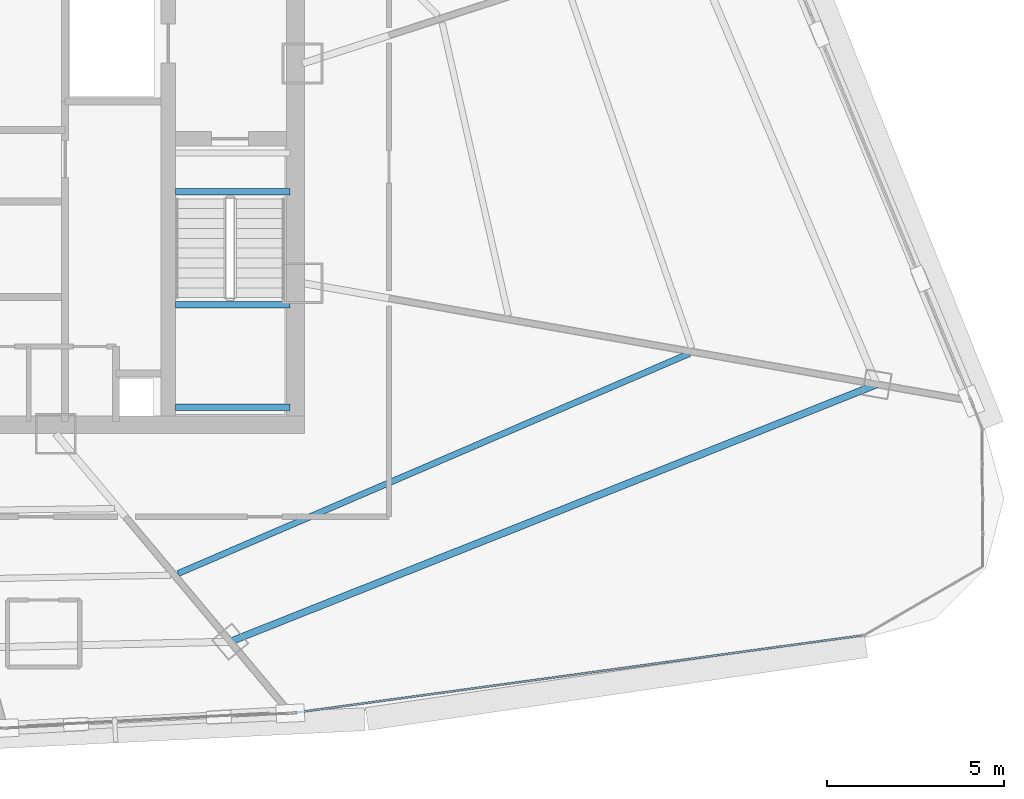
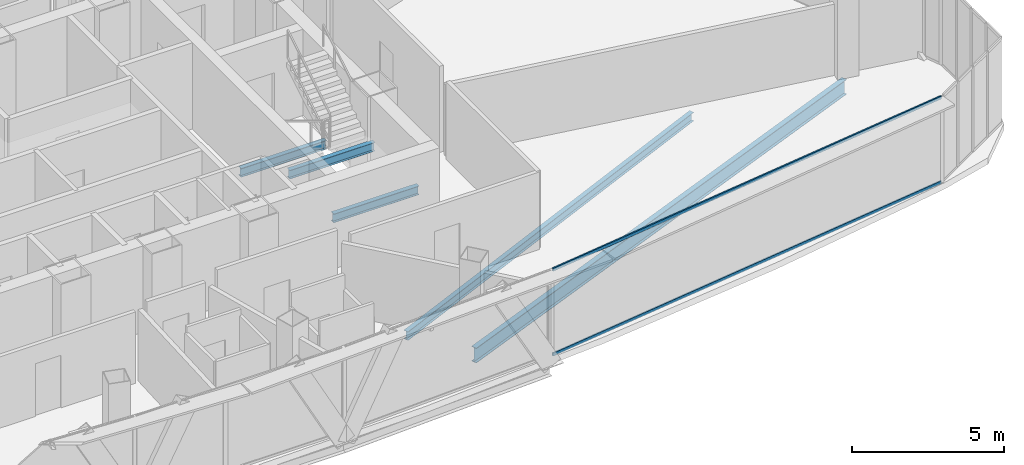
# One storey, part 13 of 40: 5 beams, 2 members, 1 element without a shape of its own.
"""IFC4 building model written with IfcOpenShell, lengths in metres."""

import ifcopenshell
import ifcopenshell.guid

model = None  # the IFC model being written
_history = None  # IfcOwnerHistory: only IFC2X3 demands one
_inside = {}  # id of a spatial element -> (the spatial element, [elements in it])
_under = {}  # id of a project, library or spatial element -> (it, [spatial elements below it])
_declared = {}  # id of a project -> (the project, [libraries it declares])
_typed = {}  # id of a type object -> (the type object, [elements of that type])
_made_of = {}  # id of a material, layer set ... -> (it, [elements and type objects made of it])


def new_model(schema):
    """Start an empty IFC model of exactly this schema.

    Asked for "IFC4X3", IfcOpenShell would pick the latest addendum, in which some entities
    have other attributes; the version numbers below select the first issue.
    IFC2X3 requires an IfcOwnerHistory on every rooted entity: one is made here for all.
    """
    global model, _history
    if schema == "IFC4X3":
        model = ifcopenshell.file(schema_version=(4, 3, 0, 0))
    else:
        model = ifcopenshell.file(schema=schema)
    _inside.clear()
    _under.clear()
    _declared.clear()
    _typed.clear()
    _made_of.clear()
    _history = None
    if model.schema == "IFC2X3":
        org = make("IfcOrganization", Name="unknown")
        user = make(
            "IfcPersonAndOrganization",
            ThePerson=make("IfcPerson", FamilyName="unknown"),
            TheOrganization=org,
        )
        app = make(
            "IfcApplication",
            ApplicationDeveloper=org,
            Version="unknown",
            ApplicationFullName="unknown",
            ApplicationIdentifier="unknown",
        )
        _history = make(
            "IfcOwnerHistory",
            OwningUser=user,
            OwningApplication=app,
            ChangeAction="ADDED",
            CreationDate=0,
        )
    return model


def make(cls, **values):
    """One entity of the class cls with the attributes given. An attribute that is None is left unset."""
    return model.create_entity(
        cls, **{name: value for name, value in values.items() if value is not None}
    )


def rooted(cls, **values):
    """An entity with a GlobalId (a new one), such as an element, a storey or a relation."""
    return make(cls, GlobalId=ifcopenshell.guid.new(), OwnerHistory=_history, **values)


def si_unit(unit_type, name, prefix=None):
    """IfcSIUnit, for example si_unit("LENGTHUNIT", "METRE", prefix="MILLI")."""
    return make("IfcSIUnit", UnitType=unit_type, Prefix=prefix, Name=name)


def assignment(units):
    """IfcUnitAssignment: the units of a project."""
    return None if units is None else make("IfcUnitAssignment", Units=units)


def point(xyz):
    """IfcCartesianPoint."""
    return None if xyz is None else make("IfcCartesianPoint", Coordinates=xyz)


def direction(xyz):
    """IfcDirection."""
    return None if xyz is None else make("IfcDirection", DirectionRatios=xyz)


def frame(location, z_axis=None, x_axis=None):
    """IfcAxis2Placement3D, a coordinate frame: its origin and axes. An axis left out is left unset."""
    return make(
        "IfcAxis2Placement3D",
        Location=point(location),
        Axis=direction(z_axis),
        RefDirection=direction(x_axis),
    )


def frame_2d(location, x_axis=None):
    """IfcAxis2Placement2D, a coordinate frame in the plane: its origin and x axis."""
    return make(
        "IfcAxis2Placement2D", Location=point(location), RefDirection=direction(x_axis)
    )


def origin():
    """The frame at (0, 0, 0) with its axes left unset."""
    return frame((0.0, 0.0, 0.0))


def origin_2d():
    """The frame at (0, 0) in the plane with its x axis left unset."""
    return frame_2d((0.0, 0.0))


def place(relative_to, where):
    """IfcLocalPlacement: puts the frame where relative to a parent placement (None: the world)."""
    return make(
        "IfcLocalPlacement", PlacementRelTo=relative_to, RelativePlacement=where
    )


def context(
    kind, dimensions, precision=None, world=None, true_north=None, identifier=None
):
    """IfcGeometricRepresentationContext, for example the 3D "Model" context."""
    return make(
        "IfcGeometricRepresentationContext",
        ContextIdentifier=identifier,
        ContextType=kind,
        CoordinateSpaceDimension=dimensions,
        Precision=precision,
        WorldCoordinateSystem=world,
        TrueNorth=true_north,
    )


def subcontext(parent, identifier, kind, view, scale=None):
    """IfcGeometricRepresentationSubContext, for example "Body" below "Model"."""
    return make(
        "IfcGeometricRepresentationSubContext",
        ContextIdentifier=identifier,
        ContextType=kind,
        ParentContext=parent,
        TargetScale=scale,
        TargetView=view,
    )


def project(units=None, contexts=None):
    """IfcProject with its units and contexts."""
    return rooted(
        "IfcProject",
        Name="project",
        RepresentationContexts=contexts,
        UnitsInContext=assignment(units),
    )


def spatial(cls, under=None, at=None, **own):
    """A site, building, storey or space (cls), placed at a placement, below another one or the project."""
    s = rooted(cls, ObjectPlacement=at, **own)
    if under is not None:
        _under.setdefault(under.id(), (under, []))[1].append(s)
    return s


def profile(cls, at=None, kind="AREA", **sizes):
    """A parametric profile (cls). Its sizes go by their IFC names, for example OverallWidth=200.0."""
    return make(cls, ProfileType=kind, Position=at, **sizes)


def hollow_rectangle(**sizes):
    """IfcRectangleHollowProfileDef."""
    return profile("IfcRectangleHollowProfileDef", **sizes)


def i_section(**sizes):
    """IfcIShapeProfileDef."""
    return profile("IfcIShapeProfileDef", **sizes)


def extrude(swept, where, along, depth):
    """IfcExtrudedAreaSolid: the profile swept, set in the frame where, extruded along a direction by depth."""
    return make(
        "IfcExtrudedAreaSolid",
        SweptArea=swept,
        Position=where,
        ExtrudedDirection=direction(along),
        Depth=depth,
    )


def shape(context_of_items, identifier, shape_type, items):
    """IfcShapeRepresentation: the items that make up one representation, for example the "Body"."""
    return make(
        "IfcShapeRepresentation",
        ContextOfItems=context_of_items,
        RepresentationIdentifier=identifier,
        RepresentationType=shape_type,
        Items=items,
    )


def source(mapping_origin, context_of_items, identifier, shape_type, items):
    """IfcRepresentationMap: a shape defined once, which mapped items show again and again."""
    return make(
        "IfcRepresentationMap",
        MappingOrigin=mapping_origin,
        MappedRepresentation=shape(context_of_items, identifier, shape_type, items),
    )


def transform(
    local_origin,
    x_axis=None,
    y_axis=None,
    z_axis=None,
    scale=None,
    scale2=None,
    scale3=None,
    uniform=True,
):
    """IfcCartesianTransformationOperator3D, or its non-uniform kind. x_axis, y_axis, z_axis: its Axis1, 2, 3."""
    if uniform:
        return make(
            "IfcCartesianTransformationOperator3D",
            Axis1=direction(x_axis),
            Axis2=direction(y_axis),
            LocalOrigin=point(local_origin),
            Scale=scale,
            Axis3=direction(z_axis),
        )
    return make(
        "IfcCartesianTransformationOperator3DnonUniform",
        Axis1=direction(x_axis),
        Axis2=direction(y_axis),
        LocalOrigin=point(local_origin),
        Scale=scale,
        Axis3=direction(z_axis),
        Scale2=scale2,
        Scale3=scale3,
    )


def mapped(mapping_source, mapping_target):
    """IfcMappedItem: shows the shape of a source again, moved by a transform."""
    return make(
        "IfcMappedItem", MappingSource=mapping_source, MappingTarget=mapping_target
    )


def material(Name=None, Category=None):
    """IfcMaterial."""
    return make("IfcMaterial", Name=Name, Category=Category)


def layer(
    of_material, thickness, ventilated=None, Name=None, Category=None, Priority=None
):
    """IfcMaterialLayer: one layer of a wall or slab, of a material (None: an air gap)."""
    return make(
        "IfcMaterialLayer",
        Material=of_material,
        LayerThickness=thickness,
        IsVentilated=ventilated,
        Name=Name,
        Category=Category,
        Priority=Priority,
    )


def layer_set(layers, Name=None):
    """IfcMaterialLayerSet."""
    return make("IfcMaterialLayerSet", MaterialLayers=layers, LayerSetName=Name)


def material_profile(
    of_material, cross_section, Name=None, Category=None, Priority=None
):
    """IfcMaterialProfile: a cross section and its material."""
    return make(
        "IfcMaterialProfile",
        Name=Name,
        Material=of_material,
        Profile=cross_section,
        Priority=Priority,
        Category=Category,
    )


def profile_set(profiles, Name=None, composite=None):
    """IfcMaterialProfileSet."""
    return make(
        "IfcMaterialProfileSet",
        Name=Name,
        MaterialProfiles=profiles,
        CompositeProfile=composite,
    )


def made_of(thing, what):
    """Note that an element or type object is made of a material, layer set ...; save() writes the relation."""
    if what is not None:
        _made_of.setdefault(what.id(), (what, []))[1].append(thing)
    return thing


def type_object(cls, material=None, **own):
    """A type object (cls), such as IfcWallType, which elements share."""
    return made_of(rooted(cls, **own), material)


def element(
    cls,
    number,
    at=None,
    inside=None,
    cuts=None,
    type_object=None,
    material=None,
    context=None,
    identifier="Body",
    shape_type=None,
    held_by="IfcProductDefinitionShape",
    body=None,
    shapes=None,
    **own,
):
    """One element of the class cls, such as IfcWall. Its Tag is "e" and its number.

    at: its placement. inside: the storey or other place that contains it. cuts: it is an
    opening in that element (IfcRelVoidsElement). A single representation is given by context,
    identifier, shape_type and body (its items); several are given by shapes. held_by: the class
    of the entity that holds the representations. save() writes the other relations.
    """
    e = rooted(cls, Tag="e%d" % number, ObjectPlacement=at, **own)
    if body is not None:
        shapes = [shape(context, identifier, shape_type, body)]
    if shapes is not None:
        e.Representation = make(held_by, Representations=shapes)
    if inside is not None:
        _inside.setdefault(inside.id(), (inside, []))[1].append(e)
    if cuts is not None:
        rooted(
            "IfcRelVoidsElement", RelatingBuildingElement=cuts, RelatedOpeningElement=e
        )
    if type_object is not None:
        _typed.setdefault(type_object.id(), (type_object, []))[1].append(e)
    return made_of(e, material)


def aggregate(whole, parts):
    """IfcRelAggregates: a whole, such as a stair, and the parts it consists of."""
    return rooted("IfcRelAggregates", RelatingObject=whole, RelatedObjects=parts)


def save(model, path):
    """Write the relations noted so far, then the file.

    IfcRelAggregates (storeys below a building ...), IfcRelContainedInSpatialStructure (elements
    in a storey), IfcRelDefinesByType, IfcRelAssociatesMaterial and IfcRelDeclares: one each for
    every whole, place, type object, material and project.
    """
    for whole, parts in _under.values():
        aggregate(whole, parts)
    for where, things in _inside.values():
        rooted(
            "IfcRelContainedInSpatialStructure",
            RelatedElements=things,
            RelatingStructure=where,
        )
    for kind, things in _typed.values():
        rooted("IfcRelDefinesByType", RelatedObjects=things, RelatingType=kind)
    for what, things in _made_of.values():
        rooted("IfcRelAssociatesMaterial", RelatedObjects=things, RelatingMaterial=what)
    for by, libraries in _declared.values():
        rooted("IfcRelDeclares", RelatingContext=by, RelatedDefinitions=libraries)
    model.write(path)


model = new_model("IFC4")

# Units and contexts
model_context = context("Model", 3, precision=1e-05, world=origin(), true_north=direction((0.0, 1.0)))
body_context = subcontext(model_context, "Body", "Model", "MODEL_VIEW")
ifc_project = project(units=[si_unit("LENGTHUNIT", "METRE"), si_unit("AREAUNIT", "SQUARE_METRE"), si_unit("VOLUMEUNIT", "CUBIC_METRE"), si_unit("PLANEANGLEUNIT", "RADIAN"), si_unit("MASSUNIT", "GRAM", prefix="KILO"), si_unit("THERMODYNAMICTEMPERATUREUNIT", "KELVIN"), si_unit("POWERUNIT", "WATT")], contexts=[model_context])

# Site, building, storey
site_placement = place(None, origin())
site = spatial("IfcSite", under=ifc_project, at=site_placement, CompositionType="ELEMENT")
building_placement = place(site_placement, origin())
building = spatial("IfcBuilding", under=site, at=building_placement, Name="Yunzhuo Pagoda Commons", CompositionType="ELEMENT")
storey_placement = place(building_placement, frame((0.0, 0.0, 288.75)))
storey = spatial("IfcBuildingStorey", under=building, at=storey_placement, Name="L72", CompositionType="ELEMENT", Elevation=288.75)

# Beams
ifc_material_1 = material(Name="Structural steel Q355B", Category="steel")
ifc_material_profile_1 = material_profile(ifc_material_1, i_section(OverallWidth=0.175048828125, OverallDepth=0.35009765625, WebThickness=0.007080078125, FlangeThickness=0.010986328125, at=origin_2d()), Name="Structural steel Q355B")
ifc_profile_set_1 = profile_set([ifc_material_profile_1], Name="Structural steel Q355B")
beam_type_1 = type_object("IfcBeamType", Name="B-JS2 Joist HN 350x175x7x11", PredefinedType="JOIST", material=ifc_profile_set_1)
shared_shape_1 = source(origin(), body_context, "Body", "SweptSolid", [
    extrude(i_section(OverallWidth=0.175048828125, OverallDepth=0.35009765625, WebThickness=0.007080078125, FlangeThickness=0.010986328125, at=origin_2d()), origin(), (0.0, 0.0, 1.0), 3.25),
])
for number, where, z_axis, x_axis, name in (
    (1, (56.800048828125, 28.0, 1.489990234375), (1.0, 0.0, 0.0), (0.0, 1.0, 0.0), "L72 ST2 landing support beam 78A"),
    (2, (56.800048828125, 30.89990234375, 1.489990234375), (1.0, 0.0, 0.0), (0.0, 1.0, 0.0), "L72 ST2 landing support beam 78B"),
    (3, (56.800048828125, 34.10009765625, -0.375), (1.0, 0.0, 0.0), (0.0, 1.0, 0.0), "L72 ST2 landing support beam 176A"),
):
    element("IfcBeam", number, at=place(storey_placement, frame(where, z_axis=z_axis, x_axis=x_axis)), inside=storey, type_object=beam_type_1, Name=name, PredefinedType="JOIST", context=body_context, shape_type="MappedRepresentation", body=[
        mapped(shared_shape_1, transform((0.0, 0.0, 0.0), scale=1.0)),
    ])
ifc_material_profile_2 = material_profile(ifc_material_1, i_section(OverallWidth=0.199951171875, OverallDepth=0.60009765625, WebThickness=0.010986328125, FlangeThickness=0.01708984375, at=origin_2d()), Name="Structural steel Q355B")
ifc_profile_set_2 = profile_set([ifc_material_profile_2], Name="Structural steel Q355B")
beam_type_2 = type_object("IfcBeamType", Name="B-RG3 Beam HN 600x200x11x17", PredefinedType="BEAM", material=ifc_profile_set_2)
shared_shape_2 = source(origin(), body_context, "Body", "SweptSolid", [
    extrude(i_section(OverallWidth=0.199951171875, OverallDepth=0.60009765625, WebThickness=0.010986328125, FlangeThickness=0.01708984375, at=origin_2d()), origin(), (0.0, 0.0, 1.0), 19.7041015625),
])
beam_1_placement = place(storey_placement, frame((58.353515625, 21.361572265625, -0.56005859375), z_axis=(0.929150216007, 0.369702415592, 0.0), x_axis=(-0.369702415592, 0.929150216007, 0.0)))
element("IfcBeam", 4, at=beam_1_placement, inside=storey, type_object=beam_type_2, Name="L72 column-ring beam 4", PredefinedType="BEAM", context=body_context, shape_type="MappedRepresentation", body=[
    mapped(shared_shape_2, transform((0.0, 0.0, 0.0), scale=1.0)),
])
shared_shape_3 = source(origin(), body_context, "Body", "SweptSolid", [
    extrude(i_section(OverallWidth=0.175048828125, OverallDepth=0.35009765625, WebThickness=0.007080078125, FlangeThickness=0.010986328125, at=origin_2d()), origin(), (0.0, 0.0, 1.0), 15.757080078125),
])
beam_2_placement = place(storey_placement, frame((56.8779296875, 23.291259765625, -0.43505859375), z_axis=(0.918592756952, 0.395205448945, 0.0), x_axis=(-0.395205448945, 0.918592756952, 0.0)))
element("IfcBeam", 5, at=beam_2_placement, inside=storey, type_object=beam_type_1, Name="L72 composite ring joist 2.4", PredefinedType="JOIST", context=body_context, shape_type="MappedRepresentation", body=[
    mapped(shared_shape_3, transform((0.0, 0.0, 0.0), scale=1.0)),
])

# Curtain wall, members
ifc_material_2 = material(Name="Anodized aluminium 6063-T6", Category="aluminium")
ifc_layer = layer(ifc_material_2, 0.139892578125)
ifc_layer_set = layer_set([ifc_layer], Name="Anodized aluminium 6063-T6")
curtain_wall_type = type_object("IfcCurtainWallType", Name="CW-HI High-Zone Ribbon Curtain Wall", PredefinedType="NOTDEFINED", material=ifc_layer_set)
curtain_wall_placement = place(storey_placement, origin())
curtain_wall = element("IfcCurtainWall", 6, at=curtain_wall_placement, inside=storey, type_object=curtain_wall_type, Name="L72 curtain wall CW-L72-F1B5", PredefinedType="NOTDEFINED")
ifc_material_profile_3 = material_profile(ifc_material_2, hollow_rectangle(XDim=0.054931640625, YDim=0.1201171875, WallThickness=0.00341796875, at=origin_2d()), Name="Anodized aluminium 6063-T6")
ifc_profile_set_3 = profile_set([ifc_material_profile_3], Name="Anodized aluminium 6063-T6")
member_type = type_object("IfcMemberType", Name="CW-HI-T Transom RHS 120x55x3.5", PredefinedType="USERDEFINED", material=ifc_profile_set_3)
shared_shape_4 = source(origin(), body_context, "Body", "SweptSolid", [
    extrude(hollow_rectangle(XDim=0.054931640625, YDim=0.1201171875, WallThickness=0.00341796875, at=origin_2d()), origin(), (0.0, 0.0, 1.0), 16.199951171875),
])
member_1_placement = place(storey_placement, frame((60.188720703125, 19.351806640625, 0.027587890625), z_axis=(0.990865990393, 0.134850246879, 0.0), x_axis=(-0.134850246879, 0.990865990393, 0.0)))
member_1 = element("IfcMember", 7, at=member_1_placement, type_object=member_type, Name="CW transom 1.1", ObjectType="TRANSOM", PredefinedType="USERDEFINED", context=body_context, shape_type="MappedRepresentation", body=[
    mapped(shared_shape_4, transform((0.0, 0.0, 0.0), scale=1.0)),
])
member_2_placement = place(storey_placement, frame((60.188720703125, 19.351806640625, 3.4423828125), z_axis=(0.990865990393, 0.134850246879, 0.0), x_axis=(-0.134850246879, 0.990865990393, 0.0)))
member_2 = element("IfcMember", 8, at=member_2_placement, type_object=member_type, Name="CW transom 1.2", ObjectType="TRANSOM", PredefinedType="USERDEFINED", context=body_context, shape_type="MappedRepresentation", body=[
    mapped(shared_shape_4, transform((0.0, 0.0, 0.0), scale=1.0)),
])
aggregate(curtain_wall, [member_1, member_2])

save(model, "model.ifc")
